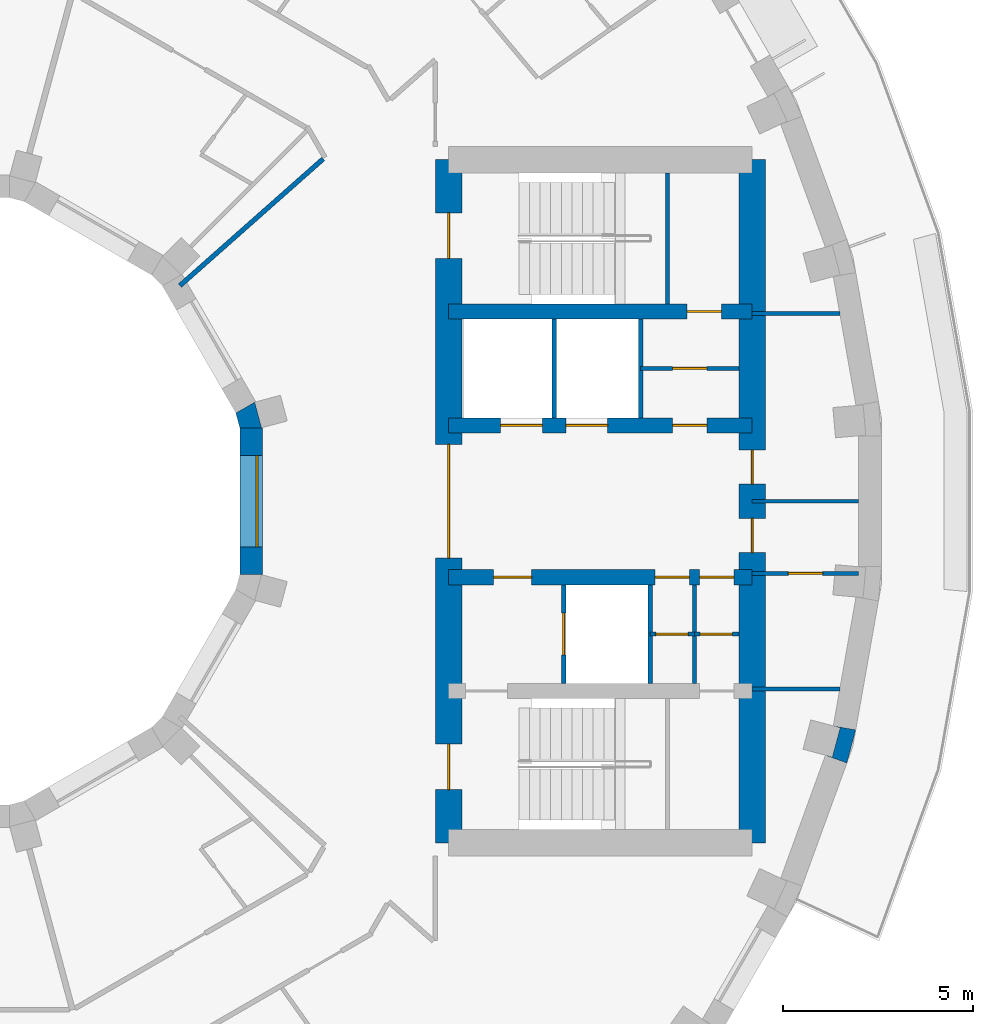
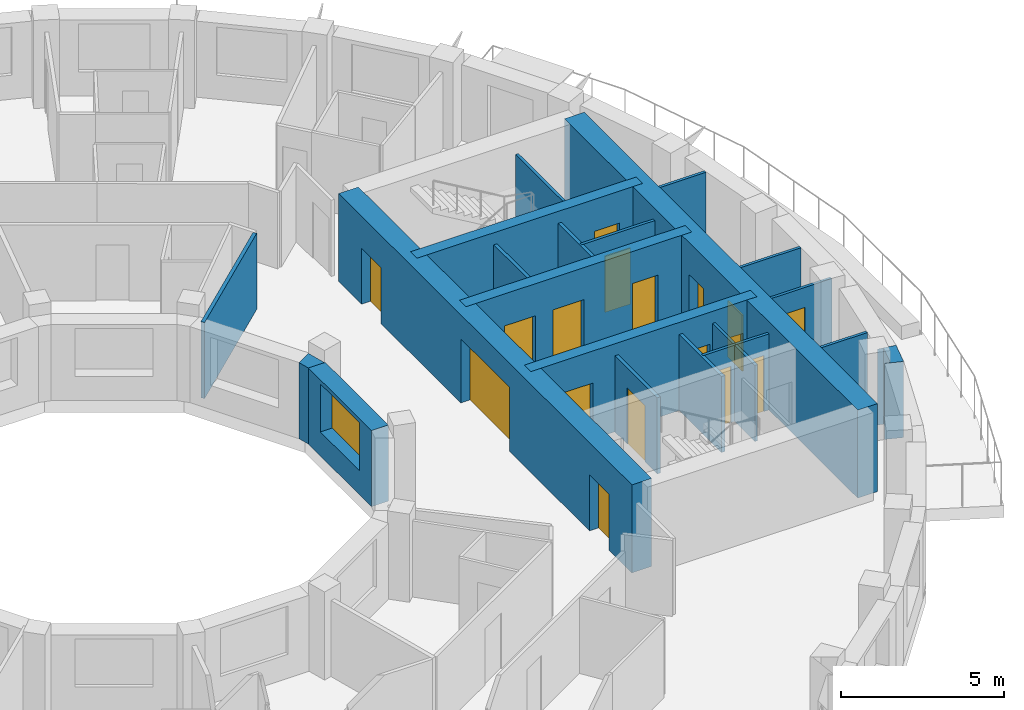
# One storey, part 6 of 11: 22 walls, 17 doors, 1 window, 18 openings.
"""IFC4 building model written with IfcOpenShell, lengths in metres."""

from ifc_helpers import new_model, si_unit, direction, frame, frame_2d, origin, place, context, subcontext, project, spatial, polyline, rectangle, outline, extrude, material, layer, layer_set, type_object, element, fill, save


model = new_model("IFC4")

# Units and contexts
model_context = context("Model", 3, precision=1e-05, world=origin(), true_north=direction((0.0, 1.0)))
body_context = subcontext(model_context, "Body", "Model", "MODEL_VIEW")
ifc_project = project(units=[si_unit("LENGTHUNIT", "METRE"), si_unit("AREAUNIT", "SQUARE_METRE"), si_unit("VOLUMEUNIT", "CUBIC_METRE"), si_unit("PLANEANGLEUNIT", "RADIAN"), si_unit("MASSUNIT", "GRAM", prefix="KILO")], contexts=[model_context])

# Site, building, storey
site_placement = place(None, origin())
site = spatial("IfcSite", under=ifc_project, at=site_placement, CompositionType="ELEMENT")
building_placement = place(site_placement, origin())
building = spatial("IfcBuilding", under=site, at=building_placement, Name="Saqina Gate Tower", CompositionType="ELEMENT")
storey_placement = place(building_placement, frame((0.0, 0.0, 187.199951171875)))
storey = spatial("IfcBuildingStorey", under=building, at=storey_placement, Name="L53", CompositionType="ELEMENT", Elevation=187.199951171875)

# Walls
ifc_material_1 = material(Name="Brick masonry (buff)", Category="masonry")
wall_type_1 = type_object("IfcWallType", Name="BRICK PIER COPING BUFF", PredefinedType="SOLIDWALL", material=ifc_material_1)
wall_1_placement = place(storey_placement, origin())
element("IfcWall", 1, at=wall_1_placement, inside=storey, type_object=wall_type_1, Name="Pier cap L53 column 35", PredefinedType="SOLIDWALL", context=body_context, shape_type="SweptSolid", body=[
    extrude(outline(polyline([(24.22705078125, -6.0234375), (23.635986328125, -5.919189453125), (23.81689453125, -5.967529296875), (23.610107421875, -6.740478515625), (23.428955078125, -6.69189453125), (23.992919921875, -6.897216796875), (24.22705078125, -6.0234375)])), origin(), (0.0, 0.0, 1.0), 2.85009765625),
])
ifc_material_2 = material(Name="Gypsum board on steel studs", Category="steel")
ifc_layer_1 = layer(ifc_material_2, 0.10009765625)
ifc_layer_set_1 = layer_set([ifc_layer_1], Name="CORE PARTITION")
wall_type_2 = type_object("IfcWallType", Name="CORE PARTITION", PredefinedType="PARTITIONING", material=ifc_layer_set_1)
for number, where, z_axis, x_axis, name in (
    (2, (21.5, 4.949951171875, 0.0), (0.0, 0.0, 1.0), (1.0, 0.0, 0.0), "L53-CP-E01"),
    (3, (21.5, -4.949951171875, 0.0), (0.0, 0.0, 1.0), (1.0, 0.0, 0.0), "L53-CP-E02"),
):
    element("IfcWall", number, at=place(storey_placement, frame(where, z_axis=z_axis, x_axis=x_axis)), inside=storey, type_object=wall_type_2, Name=name, PredefinedType="PARTITIONING", context=body_context, shape_type="SweptSolid", body=[
        extrude(rectangle(XDim=2.306884765625, YDim=0.10009765625, at=frame_2d((1.1533203125, 0.0))), origin(), (0.0, 0.0, 1.0), 2.85009765625),
    ])

# Wall, opening, door
wall_2_placement = place(storey_placement, frame((21.5, -1.89990234375, 0.0), z_axis=(0.0, 0.0, 1.0), x_axis=(1.0, 0.0, 0.0)))
wall_2 = element("IfcWall", 4, at=wall_2_placement, inside=storey, type_object=wall_type_2, Name="L53-CP-E03", PredefinedType="PARTITIONING", context=body_context, shape_type="SweptSolid", body=[
    extrude(rectangle(XDim=2.804931640625, YDim=0.10009765625, at=frame_2d((1.40234375, 0.0))), origin(), (0.0, 0.0, 1.0), 2.85009765625),
])
opening_1_placement = place(wall_2_placement, frame((0.952392578125, 0.0, 0.0)))
opening_1 = element("IfcOpeningElement", 5, at=opening_1_placement, cuts=wall_2, Name="Opening G15-D95", PredefinedType="OPENING", context=body_context, shape_type="SweptSolid", body=[
    extrude(rectangle(XDim=0.89990234375, YDim=2.10009765625, at=frame_2d((0.449951171875, 1.050048828125))), frame((0.0, 0.06201171875, 0.0), z_axis=(0.0, -1.0, 0.0), x_axis=(1.0, 0.0, 0.0)), (0.0, 0.0, 1.0), 0.1240234375),
])
ifc_material_3 = material(Name="Steel-framed fire door leaf, EI 60", Category="steel")
door_type_1 = type_object("IfcDoorType", Name="SERVICE ROOM DOOR 900", OperationType="SINGLE_SWING_LEFT", PredefinedType="DOOR", material=ifc_material_3)
door_1_placement = place(opening_1_placement, frame((0.89990234375, 0.0, 0.0), z_axis=(0.0, 0.0, 1.0), x_axis=(-1.0, 0.0, 0.0)))
door_1 = element("IfcDoor", 6, at=door_1_placement, inside=storey, type_object=door_type_1, Name="L53-CD-E06", OperationType="SINGLE_SWING_RIGHT", OverallHeight=2.10009765625, OverallWidth=0.89990234375, PredefinedType="DOOR", context=body_context, shape_type="SweptSolid", body=[
    extrude(rectangle(XDim=0.89990234375, YDim=2.10009765625, at=frame_2d((0.449951171875, 1.050048828125))), frame((0.0, 0.02490234375, 0.0), z_axis=(0.0, -1.0, 0.0), x_axis=(1.0, 0.0, 0.0)), (0.0, 0.0, 1.0), 0.050048828125),
])
fill(opening_1, door_1)

# Walls
wall_3_placement = place(storey_placement, frame((21.5, 0.0, 0.0), z_axis=(0.0, 0.0, 1.0), x_axis=(1.0, 0.0, 0.0)))
element("IfcWall", 7, at=wall_3_placement, inside=storey, type_object=wall_type_2, Name="L53-CP-E04", PredefinedType="PARTITIONING", context=body_context, shape_type="SweptSolid", body=[
    extrude(rectangle(XDim=2.804931640625, YDim=0.10009765625, at=frame_2d((1.40234375, 0.0))), origin(), (0.0, 0.0, 1.0), 2.85009765625),
])
wall_4_placement = place(storey_placement, frame((19.97998046875, -4.800048828125, 0.0), z_axis=(0.0, 0.0, 1.0), x_axis=(0.0, 1.0, 0.0)))
element("IfcWall", 8, at=wall_4_placement, inside=storey, type_object=wall_type_2, Name="L53-CP-E09", PredefinedType="PARTITIONING", context=body_context, shape_type="SweptSolid", body=[
    extrude(rectangle(XDim=2.60009765625, YDim=0.10009765625, at=frame_2d((1.300048828125, 0.0))), origin(), (0.0, 0.0, 1.0), 2.85009765625),
])

# Wall, opening, door
wall_5_placement = place(storey_placement, frame((18.56005859375, 3.5, 0.0), z_axis=(0.0, 0.0, 1.0), x_axis=(1.0, 0.0, 0.0)))
wall_5 = element("IfcWall", 9, at=wall_5_placement, inside=storey, type_object=wall_type_2, Name="L53-CP-E10", PredefinedType="PARTITIONING", context=body_context, shape_type="SweptSolid", body=[
    extrude(rectangle(XDim=2.58984375, YDim=0.10009765625, at=frame_2d((1.294921875, 0.0))), origin(), (0.0, 0.0, 1.0), 2.85009765625),
])
opening_2_placement = place(wall_5_placement, frame((0.844970703125, 0.0, 0.0)))
opening_2 = element("IfcOpeningElement", 10, at=opening_2_placement, cuts=wall_5, Name="Opening G15-D97", PredefinedType="OPENING", context=body_context, shape_type="SweptSolid", body=[
    extrude(rectangle(XDim=0.89990234375, YDim=2.10009765625, at=frame_2d((0.449951171875, 1.050048828125))), frame((0.0, 0.06201171875, 0.0), z_axis=(0.0, -1.0, 0.0), x_axis=(1.0, 0.0, 0.0)), (0.0, 0.0, 1.0), 0.1240234375),
])
door_2_placement = place(opening_2_placement, origin())
door_2 = element("IfcDoor", 11, at=door_2_placement, inside=storey, type_object=door_type_1, Name="L53-CD-E08", OperationType="SINGLE_SWING_RIGHT", OverallHeight=2.10009765625, OverallWidth=0.89990234375, PredefinedType="DOOR", context=body_context, shape_type="SweptSolid", body=[
    extrude(rectangle(XDim=0.89990234375, YDim=2.10009765625, at=frame_2d((0.449951171875, 1.050048828125))), frame((0.0, 0.02490234375, 0.0), z_axis=(0.0, -1.0, 0.0), x_axis=(1.0, 0.0, 0.0)), (0.0, 0.0, 1.0), 0.050048828125),
])
fill(opening_2, door_2)

wall_6_placement = place(storey_placement, frame((18.81005859375, -3.5, 0.0), z_axis=(0.0, 0.0, 1.0), x_axis=(1.0, 0.0, 0.0)))
wall_6 = element("IfcWall", 12, at=wall_6_placement, inside=storey, type_object=wall_type_2, Name="L53-CP-E11", PredefinedType="PARTITIONING", context=body_context, shape_type="SweptSolid", body=[
    extrude(rectangle(XDim=1.169921875, YDim=0.10009765625, at=frame_2d((0.5849609375, 0.0))), origin(), (0.0, 0.0, 1.0), 2.85009765625),
])
opening_3_placement = place(wall_6_placement, frame((0.14990234375, 0.0, 0.0)))
opening_3 = element("IfcOpeningElement", 13, at=opening_3_placement, cuts=wall_6, Name="Opening G15-D99", PredefinedType="OPENING", context=body_context, shape_type="SweptSolid", body=[
    extrude(rectangle(XDim=0.85009765625, YDim=2.10009765625, at=frame_2d((0.425048828125, 1.050048828125))), frame((0.0, 0.06201171875, 0.0), z_axis=(0.0, -1.0, 0.0), x_axis=(1.0, 0.0, 0.0)), (0.0, 0.0, 1.0), 0.1240234375),
])
ifc_material_4 = material(Name="Steel-framed fire door leaf, EI 60", Category="steel")
door_type_2 = type_object("IfcDoorType", Name="SERVICE ROOM DOOR 850", OperationType="SINGLE_SWING_LEFT", PredefinedType="DOOR", material=ifc_material_4)
door_3_placement = place(opening_3_placement, frame((0.85009765625, 0.0, 0.0), z_axis=(0.0, 0.0, 1.0), x_axis=(-1.0, 0.0, 0.0)))
door_3 = element("IfcDoor", 14, at=door_3_placement, inside=storey, type_object=door_type_2, Name="L53-CD-E10", OperationType="SINGLE_SWING_RIGHT", OverallHeight=2.10009765625, OverallWidth=0.85009765625, PredefinedType="DOOR", context=body_context, shape_type="SweptSolid", body=[
    extrude(rectangle(XDim=0.85009765625, YDim=2.10009765625, at=frame_2d((0.425048828125, 1.050048828125))), frame((0.0, 0.02490234375, 0.0), z_axis=(0.0, -1.0, 0.0), x_axis=(1.0, 0.0, 0.0)), (0.0, 0.0, 1.0), 0.050048828125),
])
fill(opening_3, door_3)

wall_7_placement = place(storey_placement, frame((19.97998046875, -3.5, 0.0), z_axis=(0.0, 0.0, 1.0), x_axis=(1.0, 0.0, 0.0)))
wall_7 = element("IfcWall", 15, at=wall_7_placement, inside=storey, type_object=wall_type_2, Name="L53-CP-E12", PredefinedType="PARTITIONING", context=body_context, shape_type="SweptSolid", body=[
    extrude(rectangle(XDim=1.169921875, YDim=0.10009765625, at=frame_2d((0.5849609375, 0.0))), origin(), (0.0, 0.0, 1.0), 2.85009765625),
])
opening_4_placement = place(wall_7_placement, frame((0.14990234375, 0.0, 0.0)))
opening_4 = element("IfcOpeningElement", 16, at=opening_4_placement, cuts=wall_7, Name="Opening G15-D100", PredefinedType="OPENING", context=body_context, shape_type="SweptSolid", body=[
    extrude(rectangle(XDim=0.85009765625, YDim=2.10009765625, at=frame_2d((0.425048828125, 1.050048828125))), frame((0.0, 0.06201171875, 0.0), z_axis=(0.0, -1.0, 0.0), x_axis=(1.0, 0.0, 0.0)), (0.0, 0.0, 1.0), 0.1240234375),
])
door_4_placement = place(opening_4_placement, frame((0.85009765625, 0.0, 0.0), z_axis=(0.0, 0.0, 1.0), x_axis=(-1.0, 0.0, 0.0)))
door_4 = element("IfcDoor", 17, at=door_4_placement, inside=storey, type_object=door_type_2, Name="L53-CD-E11", OperationType="SINGLE_SWING_LEFT", OverallHeight=2.10009765625, OverallWidth=0.85009765625, PredefinedType="DOOR", context=body_context, shape_type="SweptSolid", body=[
    extrude(rectangle(XDim=0.85009765625, YDim=2.10009765625, at=frame_2d((0.425048828125, 1.050048828125))), frame((0.0, 0.02490234375, 0.0), z_axis=(0.0, -1.0, 0.0), x_axis=(1.0, 0.0, 0.0)), (0.0, 0.0, 1.0), 0.050048828125),
])
fill(opening_4, door_4)

# Wall, opening, window
ifc_material_5 = material(Name="Glazed ceramic tile", Category="ceramic")
ifc_layer_2 = layer(ifc_material_5, 0.60009765625)
ifc_layer_set_2 = layer_set([ifc_layer_2], Name="IW-TILE")
wall_type_3 = type_object("IfcWallType", Name="IW-TILE", PredefinedType="SOLIDWALL", material=ifc_layer_set_2)
wall_8_placement = place(storey_placement, frame((8.300048828125, -1.934814453125, 0.0), z_axis=(0.0, 0.0, 1.0), x_axis=(0.0, 1.0, 0.0)))
wall_8 = element("IfcWall", 18, at=wall_8_placement, inside=storey, type_object=wall_type_3, Name="Well wall L53 facet 12", PredefinedType="SOLIDWALL", context=body_context, shape_type="SweptSolid", body=[
    extrude(rectangle(XDim=3.86962890625, YDim=0.60009765625, at=frame_2d((1.934814453125, 0.0))), origin(), (0.0, 0.0, 1.0), 2.85009765625),
])
opening_5_placement = place(wall_8_placement, frame((0.73486328125, 0.0, 0.89990234375)))
opening_5 = element("IfcOpeningElement", 19, at=opening_5_placement, cuts=wall_8, Name="Opening G15-W37", PredefinedType="OPENING", context=body_context, shape_type="SweptSolid", body=[
    extrude(rectangle(XDim=2.39990234375, YDim=1.800048828125, at=frame_2d((1.199951171875, 0.89990234375))), frame((0.0, 0.31201171875, 0.0), z_axis=(0.0, -1.0, 0.0), x_axis=(1.0, 0.0, 0.0)), (0.0, 0.0, 1.0), 0.6240234375),
])
ifc_material_6 = material(Name="Aluminium glazing", Category="aluminium")
window_type = type_object("IfcWindowType", Name="WN-W", PartitioningType="SINGLE_PANEL", PredefinedType="WINDOW", material=ifc_material_6)
window_placement = place(opening_5_placement, origin())
window = element("IfcWindow", 20, at=window_placement, inside=storey, type_object=window_type, Name="Well window L53 facet 12", OverallHeight=1.800048828125, OverallWidth=2.39990234375, PartitioningType="SINGLE_PANEL", PredefinedType="WINDOW", context=body_context, shape_type="SweptSolid", body=[
    extrude(rectangle(XDim=2.39990234375, YDim=1.800048828125, at=frame_2d((1.199951171875, 0.89990234375))), frame((0.0, -0.119873046875, 0.0), z_axis=(0.0, -1.0, 0.0), x_axis=(1.0, 0.0, 0.0)), (0.0, 0.0, 1.0), 0.06005859375),
])
fill(opening_5, window)

# Walls
ifc_material_7 = material(Name="Gypsum board on steel studs, 125 mm, fire rated", Category="steel")
ifc_layer_3 = layer(ifc_material_7, 0.125)
ifc_layer_set_3 = layer_set([ifc_layer_3], Name="PARTITION EI 30 125")
wall_type_4 = type_object("IfcWallType", Name="PARTITION EI 30 125", PredefinedType="PARTITIONING", material=ifc_layer_set_3)
wall_9_placement = place(storey_placement, frame((6.419921875, 5.679931640625, 0.0), z_axis=(0.0, 0.0, 1.0), x_axis=(0.74896790207, 0.662606279527, 0.0)))
element("IfcWall", 21, at=wall_9_placement, inside=storey, type_object=wall_type_4, Name="PARTITION PW1-32", PredefinedType="PARTITIONING", context=body_context, shape_type="SweptSolid", body=[
    extrude(rectangle(XDim=5.04052734375, YDim=0.125, at=frame_2d((2.520263671875, 0.0))), origin(), (0.0, 0.0, 1.0), 2.85009765625),
])
ifc_material_8 = material(Name="Autoclaved aerated concrete block", Category="concrete")
ifc_layer_4 = layer(ifc_material_8, 0.1201171875)
ifc_layer_set_4 = layer_set([ifc_layer_4], Name="SHAFT PARTITION")
wall_type_5 = type_object("IfcWallType", Name="SHAFT PARTITION", PredefinedType="PARTITIONING", material=ifc_layer_set_4)
for number, where, z_axis, x_axis, name in (
    (22, (16.280029296875, 2.199951171875, 0.0), (0.0, 0.0, 1.0), (0.0, 1.0, 0.0), "L53-CP-E05"),
    (23, (18.56005859375, 2.199951171875, 0.0), (0.0, 0.0, 1.0), (0.0, 1.0, 0.0), "L53-CP-E06"),
):
    element("IfcWall", number, at=place(storey_placement, frame(where, z_axis=z_axis, x_axis=x_axis)), inside=storey, type_object=wall_type_5, Name=name, PredefinedType="PARTITIONING", context=body_context, shape_type="SweptSolid", body=[
        extrude(rectangle(XDim=2.60009765625, YDim=0.1201171875, at=frame_2d((1.300048828125, 0.0))), origin(), (0.0, 0.0, 1.0), 2.85009765625),
    ])

# Wall, opening, door
wall_10_placement = place(storey_placement, frame((16.530029296875, -4.800048828125, 0.0), z_axis=(0.0, 0.0, 1.0), x_axis=(0.0, 1.0, 0.0)))
wall_10 = element("IfcWall", 24, at=wall_10_placement, inside=storey, type_object=wall_type_5, Name="L53-CP-E07", PredefinedType="PARTITIONING", context=body_context, shape_type="SweptSolid", body=[
    extrude(rectangle(XDim=2.60009765625, YDim=0.1201171875, at=frame_2d((1.300048828125, 0.0))), origin(), (0.0, 0.0, 1.0), 2.85009765625),
])
opening_6_placement = place(wall_10_placement, frame((0.75, 0.0, 0.0)))
opening_6 = element("IfcOpeningElement", 25, at=opening_6_placement, cuts=wall_10, Name="Opening G15-LD3", PredefinedType="OPENING", context=body_context, shape_type="SweptSolid", body=[
    extrude(rectangle(XDim=1.10009765625, YDim=2.10009765625, at=frame_2d((0.550048828125, 1.050048828125))), frame((0.0, 0.072021484375, 0.0), z_axis=(0.0, -1.0, 0.0), x_axis=(1.0, 0.0, 0.0)), (0.0, 0.0, 1.0), 0.14404296875),
])
ifc_material_9 = material(Name="Stainless steel", Category="steel")
door_type_3 = type_object("IfcDoorType", Name="LANDING DOOR", OperationType="DOUBLE_DOOR_SLIDING", PredefinedType="DOOR", material=ifc_material_9)
door_5_placement = place(opening_6_placement, origin())
door_5 = element("IfcDoor", 26, at=door_5_placement, inside=storey, type_object=door_type_3, Name="LANDING DOOR FF1", OperationType="DOUBLE_DOOR_SLIDING", OverallHeight=2.10009765625, OverallWidth=1.10009765625, PredefinedType="DOOR", context=body_context, shape_type="SweptSolid", body=[
    extrude(rectangle(XDim=1.10009765625, YDim=2.10009765625, at=frame_2d((0.550048828125, 1.050048828125))), frame((0.0, 0.02490234375, 0.0), z_axis=(0.0, -1.0, 0.0), x_axis=(1.0, 0.0, 0.0)), (0.0, 0.0, 1.0), 0.050048828125),
])
fill(opening_6, door_5)

# Walls
wall_11_placement = place(storey_placement, frame((18.81005859375, -4.800048828125, 0.0), z_axis=(0.0, 0.0, 1.0), x_axis=(0.0, 1.0, 0.0)))
element("IfcWall", 27, at=wall_11_placement, inside=storey, type_object=wall_type_5, Name="L53-CP-E08", PredefinedType="PARTITIONING", context=body_context, shape_type="SweptSolid", body=[
    extrude(rectangle(XDim=2.60009765625, YDim=0.1201171875, at=frame_2d((1.300048828125, 0.0))), origin(), (0.0, 0.0, 1.0), 2.85009765625),
])
ifc_material_10 = material(Name="Autoclaved aerated concrete block", Category="concrete")
ifc_layer_5 = layer(ifc_material_10, 0.10009765625)
ifc_layer_set_5 = layer_set([ifc_layer_5], Name="STAIR ENCLOSURE WALL")
wall_type_6 = type_object("IfcWallType", Name="STAIR ENCLOSURE WALL", PredefinedType="PARTITIONING", material=ifc_layer_set_5)
wall_12_placement = place(storey_placement, frame((19.27001953125, 5.199951171875, 0.0), z_axis=(0.0, 0.0, 1.0), x_axis=(0.0, 1.0, 0.0)))
element("IfcWall", 28, at=wall_12_placement, inside=storey, type_object=wall_type_6, Name="L53-CP-E13", PredefinedType="PARTITIONING", context=body_context, shape_type="SweptSolid", body=[
    extrude(rectangle(XDim=3.449951171875, YDim=0.10009765625, at=frame_2d((1.72509765625, 0.0))), origin(), (0.0, 0.0, 1.0), 2.85009765625),
])

# Wall, opening, door
ifc_material_11 = material(Name="Concrete C60/75", Category="concrete")
ifc_layer_6 = layer(ifc_material_11, 0.39990234375)
ifc_layer_set_6 = layer_set([ifc_layer_6], Name="Concrete C60/75")
wall_type_7 = type_object("IfcWallType", Name="STR-CORE WALL-C-I", PredefinedType="SHEAR", material=ifc_layer_set_6)
wall_13_placement = place(storey_placement, frame((13.5, 5.0, 0.0), z_axis=(0.0, 0.0, 1.0), x_axis=(1.0, 0.0, 0.0)))
wall_13 = element("IfcWall", 29, at=wall_13_placement, inside=storey, type_object=wall_type_7, Name="CORE WALL L53 E-X1", PredefinedType="SHEAR", context=body_context, shape_type="SweptSolid", body=[
    extrude(rectangle(XDim=8.0, YDim=0.39990234375, at=frame_2d((4.0, 0.0))), origin(), (0.0, 0.0, 1.0), 3.300048828125),
])
opening_7_placement = place(wall_13_placement, frame((6.284912109375, 0.0, 0.0)))
opening_7 = element("IfcOpeningElement", 30, at=opening_7_placement, cuts=wall_13, Name="Opening G15-D98", PredefinedType="OPENING", context=body_context, shape_type="SweptSolid", body=[
    extrude(rectangle(XDim=0.89990234375, YDim=2.10009765625, at=frame_2d((0.449951171875, 1.050048828125))), frame((0.0, 0.2119140625, 0.0), z_axis=(0.0, -1.0, 0.0), x_axis=(1.0, 0.0, 0.0)), (0.0, 0.0, 1.0), 0.423828125),
])
door_6_placement = place(opening_7_placement, origin())
door_6 = element("IfcDoor", 31, at=door_6_placement, inside=storey, type_object=door_type_1, Name="L53-CD-E09", OperationType="SINGLE_SWING_RIGHT", OverallHeight=2.10009765625, OverallWidth=0.89990234375, PredefinedType="DOOR", context=body_context, shape_type="SweptSolid", body=[
    extrude(rectangle(XDim=0.89990234375, YDim=2.10009765625, at=frame_2d((0.449951171875, 1.050048828125))), frame((0.0, 0.02490234375, 0.0), z_axis=(0.0, -1.0, 0.0), x_axis=(1.0, 0.0, 0.0)), (0.0, 0.0, 1.0), 0.050048828125),
])
fill(opening_7, door_6)

# Wall, openings, doors
wall_14_placement = place(storey_placement, frame((13.5, 2.0, 0.0), z_axis=(0.0, 0.0, 1.0), x_axis=(1.0, 0.0, 0.0)))
wall_14 = element("IfcWall", 32, at=wall_14_placement, inside=storey, type_object=wall_type_7, Name="CORE WALL L53 E-L1", PredefinedType="SHEAR", context=body_context, shape_type="SweptSolid", body=[
    extrude(rectangle(XDim=8.0, YDim=0.39990234375, at=frame_2d((4.0, 0.0))), origin(), (0.0, 0.0, 1.0), 3.300048828125),
])
opening_8_placement = place(wall_14_placement, frame((1.3701171875, 0.0, 0.0)))
opening_8 = element("IfcOpeningElement", 33, at=opening_8_placement, cuts=wall_14, Name="Opening G15-LD1", PredefinedType="OPENING", context=body_context, shape_type="SweptSolid", body=[
    extrude(rectangle(XDim=1.10009765625, YDim=2.10009765625, at=frame_2d((0.550048828125, 1.050048828125))), frame((0.0, 0.2119140625, 0.0), z_axis=(0.0, -1.0, 0.0), x_axis=(1.0, 0.0, 0.0)), (0.0, 0.0, 1.0), 0.423828125),
])
opening_9_placement = place(wall_14_placement, frame((3.090087890625, 0.0, 0.0)))
opening_9 = element("IfcOpeningElement", 34, at=opening_9_placement, cuts=wall_14, Name="Opening G15-LD2", PredefinedType="OPENING", context=body_context, shape_type="SweptSolid", body=[
    extrude(rectangle(XDim=1.10009765625, YDim=2.10009765625, at=frame_2d((0.550048828125, 1.050048828125))), frame((0.0, 0.2119140625, 0.0), z_axis=(0.0, -1.0, 0.0), x_axis=(1.0, 0.0, 0.0)), (0.0, 0.0, 1.0), 0.423828125),
])
opening_10_placement = place(wall_14_placement, frame((5.905029296875, 0.0, 0.0)))
opening_10 = element("IfcOpeningElement", 35, at=opening_10_placement, cuts=wall_14, Name="Opening G15-D90", PredefinedType="OPENING", context=body_context, shape_type="SweptSolid", body=[
    extrude(rectangle(XDim=0.89990234375, YDim=2.10009765625, at=frame_2d((0.449951171875, 1.050048828125))), frame((0.0, 0.2119140625, 0.0), z_axis=(0.0, -1.0, 0.0), x_axis=(1.0, 0.0, 0.0)), (0.0, 0.0, 1.0), 0.423828125),
])
door_7_placement = place(opening_8_placement, origin())
door_7 = element("IfcDoor", 36, at=door_7_placement, inside=storey, type_object=door_type_3, Name="LANDING DOOR HR1", OperationType="DOUBLE_DOOR_SLIDING", OverallHeight=2.10009765625, OverallWidth=1.10009765625, PredefinedType="DOOR", context=body_context, shape_type="SweptSolid", body=[
    extrude(rectangle(XDim=1.10009765625, YDim=2.10009765625, at=frame_2d((0.550048828125, 1.050048828125))), frame((0.0, 0.02490234375, 0.0), z_axis=(0.0, -1.0, 0.0), x_axis=(1.0, 0.0, 0.0)), (0.0, 0.0, 1.0), 0.050048828125),
])
fill(opening_8, door_7)
door_8_placement = place(opening_9_placement, origin())
door_8 = element("IfcDoor", 37, at=door_8_placement, inside=storey, type_object=door_type_3, Name="LANDING DOOR HR2", OperationType="DOUBLE_DOOR_SLIDING", OverallHeight=2.10009765625, OverallWidth=1.10009765625, PredefinedType="DOOR", context=body_context, shape_type="SweptSolid", body=[
    extrude(rectangle(XDim=1.10009765625, YDim=2.10009765625, at=frame_2d((0.550048828125, 1.050048828125))), frame((0.0, 0.02490234375, 0.0), z_axis=(0.0, -1.0, 0.0), x_axis=(1.0, 0.0, 0.0)), (0.0, 0.0, 1.0), 0.050048828125),
])
fill(opening_9, door_8)
door_9_placement = place(opening_10_placement, origin())
door_9 = element("IfcDoor", 38, at=door_9_placement, inside=storey, type_object=door_type_1, Name="L53-CD-E01", OperationType="SINGLE_SWING_RIGHT", OverallHeight=2.10009765625, OverallWidth=0.89990234375, PredefinedType="DOOR", context=body_context, shape_type="SweptSolid", body=[
    extrude(rectangle(XDim=0.89990234375, YDim=2.10009765625, at=frame_2d((0.449951171875, 1.050048828125))), frame((0.0, 0.02490234375, 0.0), z_axis=(0.0, -1.0, 0.0), x_axis=(1.0, 0.0, 0.0)), (0.0, 0.0, 1.0), 0.050048828125),
])
fill(opening_10, door_9)

wall_15_placement = place(storey_placement, frame((13.5, -2.0, 0.0), z_axis=(0.0, 0.0, 1.0), x_axis=(1.0, 0.0, 0.0)))
wall_15 = element("IfcWall", 39, at=wall_15_placement, inside=storey, type_object=wall_type_7, Name="CORE WALL L53 E-L2", PredefinedType="SHEAR", context=body_context, shape_type="SweptSolid", body=[
    extrude(rectangle(XDim=8.0, YDim=0.39990234375, at=frame_2d((4.0, 0.0))), origin(), (0.0, 0.0, 1.0), 3.300048828125),
])
opening_11_placement = place(wall_15_placement, frame((1.18994140625, 0.0, 0.0)))
opening_11 = element("IfcOpeningElement", 40, at=opening_11_placement, cuts=wall_15, Name="Opening G15-D91", PredefinedType="OPENING", context=body_context, shape_type="SweptSolid", body=[
    extrude(rectangle(XDim=1.0, YDim=2.10009765625, at=frame_2d((0.5, 1.050048828125))), frame((0.0, 0.2119140625, 0.0), z_axis=(0.0, -1.0, 0.0), x_axis=(1.0, 0.0, 0.0)), (0.0, 0.0, 1.0), 0.423828125),
])
opening_12_placement = place(wall_15_placement, frame((5.445068359375, 0.0, 0.0)))
opening_12 = element("IfcOpeningElement", 41, at=opening_12_placement, cuts=wall_15, Name="Opening G15-D92", PredefinedType="OPENING", context=body_context, shape_type="SweptSolid", body=[
    extrude(rectangle(XDim=0.89990234375, YDim=2.10009765625, at=frame_2d((0.449951171875, 1.050048828125))), frame((0.0, 0.2119140625, 0.0), z_axis=(0.0, -1.0, 0.0), x_axis=(1.0, 0.0, 0.0)), (0.0, 0.0, 1.0), 0.423828125),
])
opening_13_placement = place(wall_15_placement, frame((6.614990234375, 0.0, 0.0)))
opening_13 = element("IfcOpeningElement", 42, at=opening_13_placement, cuts=wall_15, Name="Opening G15-D93", PredefinedType="OPENING", context=body_context, shape_type="SweptSolid", body=[
    extrude(rectangle(XDim=0.89990234375, YDim=2.10009765625, at=frame_2d((0.449951171875, 1.050048828125))), frame((0.0, 0.2119140625, 0.0), z_axis=(0.0, -1.0, 0.0), x_axis=(1.0, 0.0, 0.0)), (0.0, 0.0, 1.0), 0.423828125),
])
ifc_material_12 = material(Name="Steel", Category="steel")
door_type_4 = type_object("IfcDoorType", Name="FIRE LOBBY DOOR EI 60", OperationType="SINGLE_SWING_LEFT", PredefinedType="DOOR", material=ifc_material_12)
door_10_placement = place(opening_11_placement, origin())
door_10 = element("IfcDoor", 43, at=door_10_placement, inside=storey, type_object=door_type_4, Name="L53-CD-E02", OperationType="SINGLE_SWING_LEFT", OverallHeight=2.10009765625, OverallWidth=1.0, PredefinedType="DOOR", context=body_context, shape_type="SweptSolid", body=[
    extrude(rectangle(XDim=1.0, YDim=2.10009765625, at=frame_2d((0.5, 1.050048828125))), frame((0.0, 0.02490234375, 0.0), z_axis=(0.0, -1.0, 0.0), x_axis=(1.0, 0.0, 0.0)), (0.0, 0.0, 1.0), 0.050048828125),
])
fill(opening_11, door_10)
door_11_placement = place(opening_12_placement, frame((0.89990234375, 0.0, 0.0), z_axis=(0.0, 0.0, 1.0), x_axis=(-1.0, 0.0, 0.0)))
door_11 = element("IfcDoor", 44, at=door_11_placement, inside=storey, type_object=door_type_1, Name="L53-CD-E03", OperationType="SINGLE_SWING_RIGHT", OverallHeight=2.10009765625, OverallWidth=0.89990234375, PredefinedType="DOOR", context=body_context, shape_type="SweptSolid", body=[
    extrude(rectangle(XDim=0.89990234375, YDim=2.10009765625, at=frame_2d((0.449951171875, 1.050048828125))), frame((0.0, 0.02490234375, 0.0), z_axis=(0.0, -1.0, 0.0), x_axis=(1.0, 0.0, 0.0)), (0.0, 0.0, 1.0), 0.050048828125),
])
fill(opening_12, door_11)
door_12_placement = place(opening_13_placement, frame((0.89990234375, 0.0, 0.0), z_axis=(0.0, 0.0, 1.0), x_axis=(-1.0, 0.0, 0.0)))
door_12 = element("IfcDoor", 45, at=door_12_placement, inside=storey, type_object=door_type_1, Name="L53-CD-E04", OperationType="SINGLE_SWING_LEFT", OverallHeight=2.10009765625, OverallWidth=0.89990234375, PredefinedType="DOOR", context=body_context, shape_type="SweptSolid", body=[
    extrude(rectangle(XDim=0.89990234375, YDim=2.10009765625, at=frame_2d((0.449951171875, 1.050048828125))), frame((0.0, 0.02490234375, 0.0), z_axis=(0.0, -1.0, 0.0), x_axis=(1.0, 0.0, 0.0)), (0.0, 0.0, 1.0), 0.050048828125),
])
fill(opening_13, door_12)

ifc_material_13 = material(Name="Concrete C60/75", Category="concrete")
ifc_layer_7 = layer(ifc_material_13, 0.699951171875)
ifc_layer_set_7 = layer_set([ifc_layer_7], Name="Concrete C60/75")
wall_type_8 = type_object("IfcWallType", Name="STR-CORE WALL-C-O", PredefinedType="SHEAR", material=ifc_layer_set_7)
wall_16_placement = place(storey_placement, frame((13.5, -9.0, 0.0), z_axis=(0.0, 0.0, 1.0), x_axis=(0.0, 1.0, 0.0)))
wall_16 = element("IfcWall", 46, at=wall_16_placement, inside=storey, type_object=wall_type_8, Name="CORE WALL L53 E-W1", PredefinedType="SHEAR", context=body_context, shape_type="SweptSolid", body=[
    extrude(rectangle(XDim=18.0, YDim=0.699951171875, at=frame_2d((9.0, 0.0))), origin(), (0.0, 0.0, 1.0), 3.300048828125),
])
opening_14_placement = place(wall_16_placement, frame((15.39990234375, 0.0, 0.0)))
opening_14 = element("IfcOpeningElement", 47, at=opening_14_placement, cuts=wall_16, Name="Opening G15-D103", PredefinedType="OPENING", context=body_context, shape_type="SweptSolid", body=[
    extrude(rectangle(XDim=1.199951171875, YDim=2.10009765625, at=frame_2d((0.60009765625, 1.050048828125))), frame((0.0, 0.362060546875, 0.0), z_axis=(0.0, -1.0, 0.0), x_axis=(1.0, 0.0, 0.0)), (0.0, 0.0, 1.0), 0.723876953125),
])
opening_15_placement = place(wall_16_placement, frame((1.39990234375, 0.0, 0.0)))
opening_15 = element("IfcOpeningElement", 48, at=opening_15_placement, cuts=wall_16, Name="Opening G15-D104", PredefinedType="OPENING", context=body_context, shape_type="SweptSolid", body=[
    extrude(rectangle(XDim=1.199951171875, YDim=2.10009765625, at=frame_2d((0.60009765625, 1.050048828125))), frame((0.0, 0.362060546875, 0.0), z_axis=(0.0, -1.0, 0.0), x_axis=(1.0, 0.0, 0.0)), (0.0, 0.0, 1.0), 0.723876953125),
])
opening_16_placement = place(wall_16_placement, frame((7.5, 0.0, 0.0)))
opening_16 = element("IfcOpeningElement", 49, at=opening_16_placement, cuts=wall_16, Name="Opening G15-D105", PredefinedType="OPENING", context=body_context, shape_type="SweptSolid", body=[
    extrude(rectangle(XDim=3.0, YDim=2.39990234375, at=frame_2d((1.5, 1.199951171875))), frame((0.0, 0.362060546875, 0.0), z_axis=(0.0, -1.0, 0.0), x_axis=(1.0, 0.0, 0.0)), (0.0, 0.0, 1.0), 0.723876953125),
])
ifc_material_14 = material(Name="Steel", Category="steel")
door_type_5 = type_object("IfcDoorType", Name="FIRE DOOR EI 60", OperationType="SINGLE_SWING_LEFT", PredefinedType="DOOR", material=ifc_material_14)
door_13_placement = place(opening_14_placement, frame((1.199951171875, 0.0, 0.0), z_axis=(0.0, 0.0, 1.0), x_axis=(-1.0, 0.0, 0.0)))
door_13 = element("IfcDoor", 50, at=door_13_placement, inside=storey, type_object=door_type_5, Name="L53-CD-E14", OperationType="SINGLE_SWING_LEFT", OverallHeight=2.10009765625, OverallWidth=1.199951171875, PredefinedType="DOOR", context=body_context, shape_type="SweptSolid", body=[
    extrude(rectangle(XDim=1.199951171875, YDim=2.10009765625, at=frame_2d((0.60009765625, 1.050048828125))), frame((0.0, 0.02490234375, 0.0), z_axis=(0.0, -1.0, 0.0), x_axis=(1.0, 0.0, 0.0)), (0.0, 0.0, 1.0), 0.050048828125),
])
fill(opening_14, door_13)
door_14_placement = place(opening_15_placement, frame((1.199951171875, 0.0, 0.0), z_axis=(0.0, 0.0, 1.0), x_axis=(-1.0, 0.0, 0.0)))
door_14 = element("IfcDoor", 51, at=door_14_placement, inside=storey, type_object=door_type_5, Name="L53-CD-E15", OperationType="SINGLE_SWING_RIGHT", OverallHeight=2.10009765625, OverallWidth=1.199951171875, PredefinedType="DOOR", context=body_context, shape_type="SweptSolid", body=[
    extrude(rectangle(XDim=1.199951171875, YDim=2.10009765625, at=frame_2d((0.60009765625, 1.050048828125))), frame((0.0, 0.02490234375, 0.0), z_axis=(0.0, -1.0, 0.0), x_axis=(1.0, 0.0, 0.0)), (0.0, 0.0, 1.0), 0.050048828125),
])
fill(opening_15, door_14)
ifc_material_15 = material(Name="Steel and fire-resisting glass", Category="steel")
door_type_6 = type_object("IfcDoorType", Name="LOBBY SCREEN DOOR", OperationType="DOUBLE_DOOR_SLIDING", PredefinedType="DOOR", material=ifc_material_15)
door_15_placement = place(opening_16_placement, origin())
door_15 = element("IfcDoor", 52, at=door_15_placement, inside=storey, type_object=door_type_6, Name="L53-CD-E16", OperationType="DOUBLE_DOOR_SLIDING", OverallHeight=2.39990234375, OverallWidth=3.0, PredefinedType="DOOR", context=body_context, shape_type="SweptSolid", body=[
    extrude(rectangle(XDim=3.0, YDim=2.39990234375, at=frame_2d((1.5, 1.199951171875))), frame((0.0, 0.02490234375, 0.0), z_axis=(0.0, -1.0, 0.0), x_axis=(1.0, 0.0, 0.0)), (0.0, 0.0, 1.0), 0.050048828125),
])
fill(opening_16, door_15)

wall_17_placement = place(storey_placement, frame((21.5, -9.0, 0.0), z_axis=(0.0, 0.0, 1.0), x_axis=(0.0, 1.0, 0.0)))
wall_17 = element("IfcWall", 53, at=wall_17_placement, inside=storey, type_object=wall_type_8, Name="CORE WALL L53 E-W2", PredefinedType="SHEAR", context=body_context, shape_type="SweptSolid", body=[
    extrude(rectangle(XDim=18.0, YDim=0.699951171875, at=frame_2d((9.0, 0.0))), origin(), (0.0, 0.0, 1.0), 3.300048828125),
])
opening_17_placement = place(wall_17_placement, frame((9.449951171875, 0.0, 0.0)))
opening_17 = element("IfcOpeningElement", 54, at=opening_17_placement, cuts=wall_17, Name="Opening G15-D94", PredefinedType="OPENING", context=body_context, shape_type="SweptSolid", body=[
    extrude(rectangle(XDim=0.89990234375, YDim=2.10009765625, at=frame_2d((0.449951171875, 1.050048828125))), frame((0.0, 0.362060546875, 0.0), z_axis=(0.0, -1.0, 0.0), x_axis=(1.0, 0.0, 0.0)), (0.0, 0.0, 1.0), 0.723876953125),
])
opening_18_placement = place(wall_17_placement, frame((7.64990234375, 0.0, 0.0)))
opening_18 = element("IfcOpeningElement", 55, at=opening_18_placement, cuts=wall_17, Name="Opening G15-D96", PredefinedType="OPENING", context=body_context, shape_type="SweptSolid", body=[
    extrude(rectangle(XDim=0.89990234375, YDim=2.10009765625, at=frame_2d((0.449951171875, 1.050048828125))), frame((0.0, 0.362060546875, 0.0), z_axis=(0.0, -1.0, 0.0), x_axis=(1.0, 0.0, 0.0)), (0.0, 0.0, 1.0), 0.723876953125),
])
door_16_placement = place(opening_17_placement, frame((0.89990234375, 0.0, 0.0), z_axis=(0.0, 0.0, 1.0), x_axis=(-1.0, 0.0, 0.0)))
door_16 = element("IfcDoor", 56, at=door_16_placement, inside=storey, type_object=door_type_1, Name="L53-CD-E05", OperationType="SINGLE_SWING_RIGHT", OverallHeight=2.10009765625, OverallWidth=0.89990234375, PredefinedType="DOOR", context=body_context, shape_type="SweptSolid", body=[
    extrude(rectangle(XDim=0.89990234375, YDim=2.10009765625, at=frame_2d((0.449951171875, 1.050048828125))), frame((0.0, 0.02490234375, 0.0), z_axis=(0.0, -1.0, 0.0), x_axis=(1.0, 0.0, 0.0)), (0.0, 0.0, 1.0), 0.050048828125),
])
fill(opening_17, door_16)
door_17_placement = place(opening_18_placement, frame((0.89990234375, 0.0, 0.0), z_axis=(0.0, 0.0, 1.0), x_axis=(-1.0, 0.0, 0.0)))
door_17 = element("IfcDoor", 57, at=door_17_placement, inside=storey, type_object=door_type_1, Name="L53-CD-E07", OperationType="SINGLE_SWING_RIGHT", OverallHeight=2.10009765625, OverallWidth=0.89990234375, PredefinedType="DOOR", context=body_context, shape_type="SweptSolid", body=[
    extrude(rectangle(XDim=0.89990234375, YDim=2.10009765625, at=frame_2d((0.449951171875, 1.050048828125))), frame((0.0, 0.02490234375, 0.0), z_axis=(0.0, -1.0, 0.0), x_axis=(1.0, 0.0, 0.0)), (0.0, 0.0, 1.0), 0.050048828125),
])
fill(opening_18, door_17)

# Wall
ifc_material_16 = material(Name="Glazed ceramic tile", Category="ceramic")
wall_type_9 = type_object("IfcWallType", Name="TILE PIER COPING", PredefinedType="SOLIDWALL", material=ifc_material_16)
wall_18_placement = place(storey_placement, origin())
element("IfcWall", 58, at=wall_18_placement, inside=storey, type_object=wall_type_9, Name="Well pier cap L53 column 1", PredefinedType="SOLIDWALL", context=body_context, shape_type="SweptSolid", body=[
    extrude(outline(polyline([(8.392333984375, 2.611083984375), (7.895751953125, 2.32421875), (8.0, 1.934814453125), (8.573486328125, 1.934814453125), (8.392333984375, 2.611083984375)])), origin(), (0.0, 0.0, 1.0), 2.85009765625),
])

save(model, "model.ifc")
